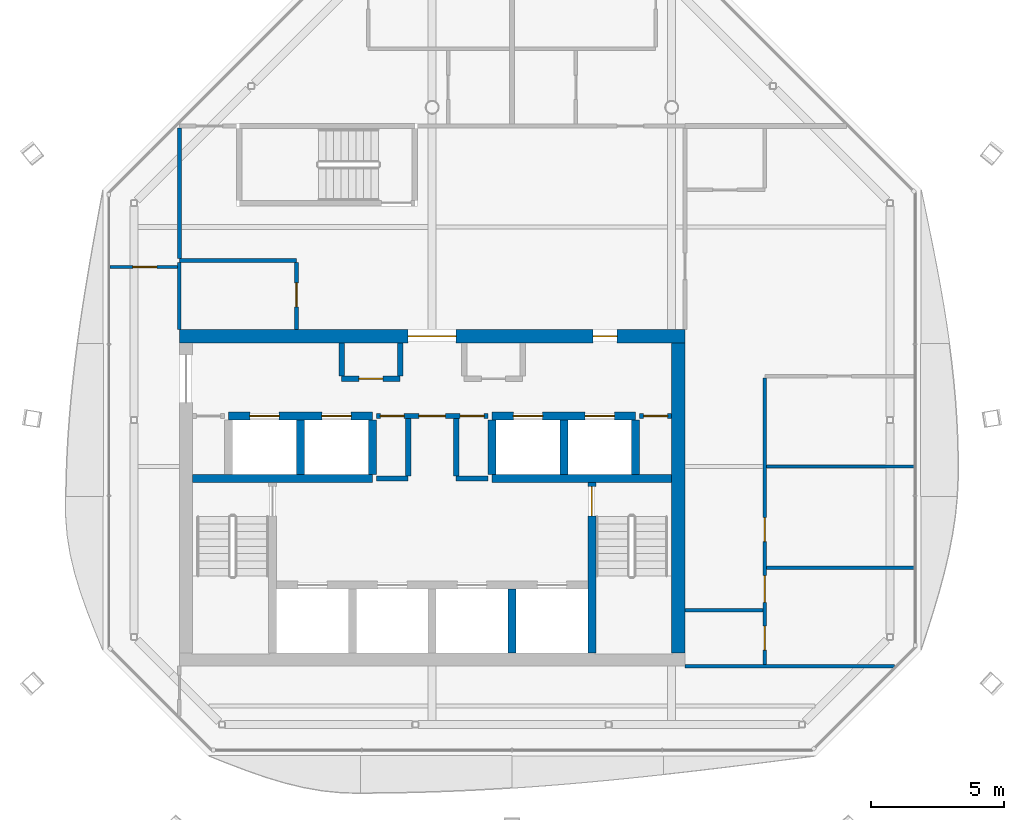
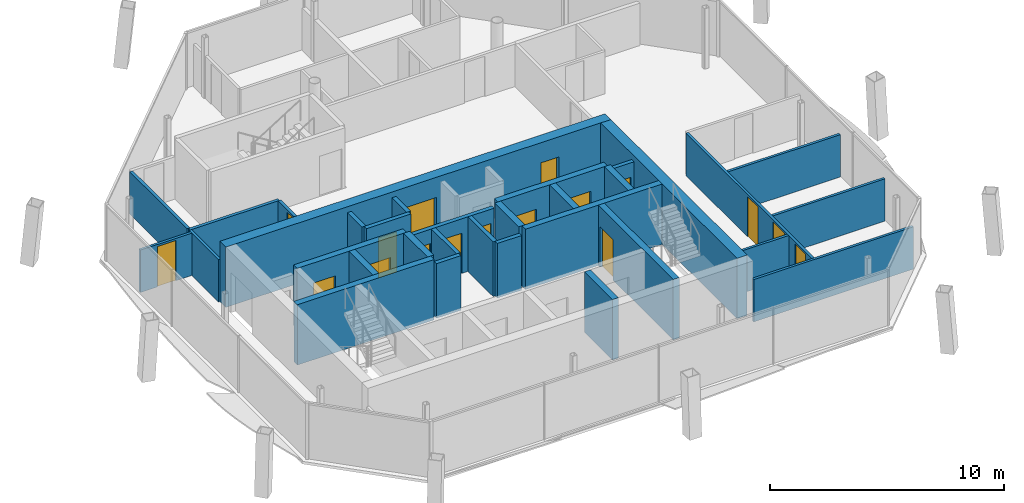
# One storey, part 9 of 13: 32 walls, 17 doors, 17 openings.
"""IFC4 building model written with IfcOpenShell, lengths in metres."""

from ifc_helpers import new_model, si_unit, direction, frame, frame_2d, origin, place, context, subcontext, project, spatial, rectangle, extrude, material, layer, layer_set, type_object, element, fill, save


model = new_model("IFC4")

# Units and contexts
model_context = context("Model", 3, precision=1e-05, world=origin(), true_north=direction((0.0, 1.0)))
body_context = subcontext(model_context, "Body", "Model", "MODEL_VIEW")
ifc_project = project(units=[si_unit("LENGTHUNIT", "METRE"), si_unit("AREAUNIT", "SQUARE_METRE"), si_unit("VOLUMEUNIT", "CUBIC_METRE"), si_unit("PLANEANGLEUNIT", "RADIAN"), si_unit("MASSUNIT", "GRAM", prefix="KILO")], contexts=[model_context])

# Site, building, storey
site_placement = place(None, origin())
site = spatial("IfcSite", under=ifc_project, at=site_placement, CompositionType="ELEMENT")
building_placement = place(site_placement, origin())
building = spatial("IfcBuilding", under=site, at=building_placement, Name="Tskaro Facet Tower", CompositionType="ELEMENT")
storey_placement = place(building_placement, frame((0.0, 0.0, 291.0)))
storey = spatial("IfcBuildingStorey", under=building, at=storey_placement, Name="L78", CompositionType="ELEMENT", Elevation=291.0)

# Walls
ifc_material_1 = material(Name="Concrete C60/75", Category="concrete")
ifc_layer_1 = layer(ifc_material_1, 0.300048828125, Name="Concrete C60/75")
ifc_layer_set_1 = layer_set([ifc_layer_1], Name="Concrete C60/75")
wall_type_1 = type_object("IfcWallType", Name="CORE-SHAFT", PredefinedType="SHEAR", material=ifc_layer_set_1)
for number, where, z_axis, x_axis, name in (
    (1, (-9.0, -4.949951171875, 0.0), (0.0, 0.0, 1.0), (1.0, 0.0, 0.0), "Shaft wall W005"),
    (2, (2.25, -4.949951171875, 0.0), (0.0, 0.0, 1.0), (1.0, 0.0, 0.0), "Shaft wall W008"),
):
    element("IfcWall", number, at=place(storey_placement, frame(where, z_axis=z_axis, x_axis=x_axis)), inside=storey, type_object=wall_type_1, Name=name, PredefinedType="SHEAR", context=body_context, shape_type="SweptSolid", body=[
        extrude(rectangle(XDim=6.75, YDim=0.300048828125, at=frame_2d((3.375, 0.0))), origin(), (0.0, 0.0, 1.0), 3.14990234375),
    ])

# Wall, openings, doors
wall_1_placement = place(storey_placement, frame((-7.64990234375, -2.60009765625, 0.0), z_axis=(0.0, 0.0, 1.0), x_axis=(1.0, 0.0, 0.0)))
wall_1 = element("IfcWall", 3, at=wall_1_placement, inside=storey, type_object=wall_type_1, Name="Shaft wall W011", PredefinedType="SHEAR", context=body_context, shape_type="SweptSolid", body=[
    extrude(rectangle(XDim=5.39990234375, YDim=0.300048828125, at=frame_2d((2.699951171875, 0.0))), origin(), (0.0, 0.0, 1.0), 3.14990234375),
])
opening_1_placement = place(wall_1_placement, frame((0.800048828125, 0.0, 0.0)))
opening_1 = element("IfcOpeningElement", 4, at=opening_1_placement, cuts=wall_1, Name="Opening LD-HB1", PredefinedType="OPENING", context=body_context, shape_type="SweptSolid", body=[
    extrude(rectangle(XDim=1.10009765625, YDim=2.10009765625, at=frame_2d((0.550048828125, 1.050048828125))), frame((0.0, 0.159912109375, 0.0), z_axis=(0.0, -1.0, 0.0), x_axis=(1.0, 0.0, 0.0)), (0.0, 0.0, 1.0), 0.320068359375),
])
opening_2_placement = place(wall_1_placement, frame((3.5, 0.0, 0.0)))
opening_2 = element("IfcOpeningElement", 5, at=opening_2_placement, cuts=wall_1, Name="Opening LD-HB2", PredefinedType="OPENING", context=body_context, shape_type="SweptSolid", body=[
    extrude(rectangle(XDim=1.10009765625, YDim=2.10009765625, at=frame_2d((0.550048828125, 1.050048828125))), frame((0.0, 0.159912109375, 0.0), z_axis=(0.0, -1.0, 0.0), x_axis=(1.0, 0.0, 0.0)), (0.0, 0.0, 1.0), 0.320068359375),
])
ifc_material_2 = material(Name="Stainless steel", Category="steel")
door_type_1 = type_object("IfcDoorType", Name="D-LANDING", OperationType="NOTDEFINED", PredefinedType="DOOR", material=ifc_material_2)
door_1_placement = place(opening_1_placement, origin())
door_1 = element("IfcDoor", 6, at=door_1_placement, inside=storey, type_object=door_type_1, Name="Landing door HB1", OperationType="DOUBLE_DOOR_SLIDING", OverallHeight=2.10009765625, OverallWidth=1.10009765625, PredefinedType="DOOR", context=body_context, shape_type="SweptSolid", body=[
    extrude(rectangle(XDim=1.10009765625, YDim=2.10009765625, at=frame_2d((0.550048828125, 1.050048828125))), frame((0.0, 0.02490234375, 0.0), z_axis=(0.0, -1.0, 0.0), x_axis=(1.0, 0.0, 0.0)), (0.0, 0.0, 1.0), 0.050048828125),
])
fill(opening_1, door_1)
door_2_placement = place(opening_2_placement, origin())
door_2 = element("IfcDoor", 7, at=door_2_placement, inside=storey, type_object=door_type_1, Name="Landing door HB2", OperationType="DOUBLE_DOOR_SLIDING", OverallHeight=2.10009765625, OverallWidth=1.10009765625, PredefinedType="DOOR", context=body_context, shape_type="SweptSolid", body=[
    extrude(rectangle(XDim=1.10009765625, YDim=2.10009765625, at=frame_2d((0.550048828125, 1.050048828125))), frame((0.0, 0.02490234375, 0.0), z_axis=(0.0, -1.0, 0.0), x_axis=(1.0, 0.0, 0.0)), (0.0, 0.0, 1.0), 0.050048828125),
])
fill(opening_2, door_2)

wall_2_placement = place(storey_placement, frame((2.25, -2.60009765625, 0.0), z_axis=(0.0, 0.0, 1.0), x_axis=(1.0, 0.0, 0.0)))
wall_2 = element("IfcWall", 8, at=wall_2_placement, inside=storey, type_object=wall_type_1, Name="Shaft wall W013", PredefinedType="SHEAR", context=body_context, shape_type="SweptSolid", body=[
    extrude(rectangle(XDim=5.39990234375, YDim=0.300048828125, at=frame_2d((2.699951171875, 0.0))), origin(), (0.0, 0.0, 1.0), 3.14990234375),
])
opening_3_placement = place(wall_2_placement, frame((0.800048828125, 0.0, 0.0)))
opening_3 = element("IfcOpeningElement", 9, at=opening_3_placement, cuts=wall_2, Name="Opening LD-HB3", PredefinedType="OPENING", context=body_context, shape_type="SweptSolid", body=[
    extrude(rectangle(XDim=1.10009765625, YDim=2.10009765625, at=frame_2d((0.550048828125, 1.050048828125))), frame((0.0, 0.159912109375, 0.0), z_axis=(0.0, -1.0, 0.0), x_axis=(1.0, 0.0, 0.0)), (0.0, 0.0, 1.0), 0.320068359375),
])
opening_4_placement = place(wall_2_placement, frame((3.5, 0.0, 0.0)))
opening_4 = element("IfcOpeningElement", 10, at=opening_4_placement, cuts=wall_2, Name="Opening LD-HB4", PredefinedType="OPENING", context=body_context, shape_type="SweptSolid", body=[
    extrude(rectangle(XDim=1.10009765625, YDim=2.10009765625, at=frame_2d((0.550048828125, 1.050048828125))), frame((0.0, 0.159912109375, 0.0), z_axis=(0.0, -1.0, 0.0), x_axis=(1.0, 0.0, 0.0)), (0.0, 0.0, 1.0), 0.320068359375),
])
door_3_placement = place(opening_3_placement, origin())
door_3 = element("IfcDoor", 11, at=door_3_placement, inside=storey, type_object=door_type_1, Name="Landing door HB3", OperationType="DOUBLE_DOOR_SLIDING", OverallHeight=2.10009765625, OverallWidth=1.10009765625, PredefinedType="DOOR", context=body_context, shape_type="SweptSolid", body=[
    extrude(rectangle(XDim=1.10009765625, YDim=2.10009765625, at=frame_2d((0.550048828125, 1.050048828125))), frame((0.0, 0.02490234375, 0.0), z_axis=(0.0, -1.0, 0.0), x_axis=(1.0, 0.0, 0.0)), (0.0, 0.0, 1.0), 0.050048828125),
])
fill(opening_3, door_3)
door_4_placement = place(opening_4_placement, origin())
door_4 = element("IfcDoor", 12, at=door_4_placement, inside=storey, type_object=door_type_1, Name="Landing door HB4", OperationType="DOUBLE_DOOR_SLIDING", OverallHeight=2.10009765625, OverallWidth=1.10009765625, PredefinedType="DOOR", context=body_context, shape_type="SweptSolid", body=[
    extrude(rectangle(XDim=1.10009765625, YDim=2.10009765625, at=frame_2d((0.550048828125, 1.050048828125))), frame((0.0, 0.02490234375, 0.0), z_axis=(0.0, -1.0, 0.0), x_axis=(1.0, 0.0, 0.0)), (0.0, 0.0, 1.0), 0.050048828125),
])
fill(opening_4, door_4)

# Walls
for number, where, z_axis, x_axis, name in (
    (13, (-4.949951171875, -4.800048828125, 0.0), (0.0, 0.0, 1.0), (0.0, 1.0, 0.0), "Shaft wall W034"),
    (14, (-2.25, -4.800048828125, 0.0), (0.0, 0.0, 1.0), (0.0, 1.0, 0.0), "Shaft wall W039"),
    (15, (2.25, -4.800048828125, 0.0), (0.0, 0.0, 1.0), (0.0, 1.0, 0.0), "Shaft wall W047"),
):
    element("IfcWall", number, at=place(storey_placement, frame(where, z_axis=z_axis, x_axis=x_axis)), inside=storey, type_object=wall_type_1, Name=name, PredefinedType="SHEAR", context=body_context, shape_type="SweptSolid", body=[
        extrude(rectangle(XDim=2.050048828125, YDim=0.300048828125, at=frame_2d((1.02490234375, 0.0))), origin(), (0.0, 0.0, 1.0), 3.14990234375),
    ])
wall_3_placement = place(storey_placement, frame((3.0, -11.5, 0.0), z_axis=(0.0, 0.0, 1.0), x_axis=(0.0, 1.0, 0.0)))
element("IfcWall", 16, at=wall_3_placement, inside=storey, type_object=wall_type_1, Name="Shaft wall W048", PredefinedType="SHEAR", context=body_context, shape_type="SweptSolid", body=[
    extrude(rectangle(XDim=2.39990234375, YDim=0.300048828125, at=frame_2d((1.199951171875, 0.0))), origin(), (0.0, 0.0, 1.0), 3.14990234375),
])
wall_4_placement = place(storey_placement, frame((4.949951171875, -4.800048828125, 0.0), z_axis=(0.0, 0.0, 1.0), x_axis=(0.0, 1.0, 0.0)))
element("IfcWall", 17, at=wall_4_placement, inside=storey, type_object=wall_type_1, Name="Shaft wall W052", PredefinedType="SHEAR", context=body_context, shape_type="SweptSolid", body=[
    extrude(rectangle(XDim=2.050048828125, YDim=0.300048828125, at=frame_2d((1.02490234375, 0.0))), origin(), (0.0, 0.0, 1.0), 3.14990234375),
])

# Wall, opening, door
wall_5_placement = place(storey_placement, frame((6.0, -5.10009765625, 0.0), z_axis=(0.0, 0.0, 1.0), x_axis=(0.0, -1.0, 0.0)))
wall_5 = element("IfcWall", 18, at=wall_5_placement, inside=storey, type_object=wall_type_1, Name="Shaft wall W054", PredefinedType="SHEAR", context=body_context, shape_type="SweptSolid", body=[
    extrude(rectangle(XDim=6.39990234375, YDim=0.300048828125, at=frame_2d((3.199951171875, 0.0))), origin(), (0.0, 0.0, 1.0), 3.14990234375),
])
opening_5_placement = place(wall_5_placement, frame((0.14990234375, 0.0, 0.0)))
opening_5 = element("IfcOpeningElement", 19, at=opening_5_placement, cuts=wall_5, Name="Opening ST-2-D1", PredefinedType="OPENING", context=body_context, shape_type="SweptSolid", body=[
    extrude(rectangle(XDim=1.10009765625, YDim=2.10009765625, at=frame_2d((0.550048828125, 1.050048828125))), frame((0.0, 0.159912109375, 0.0), z_axis=(0.0, -1.0, 0.0), x_axis=(1.0, 0.0, 0.0)), (0.0, 0.0, 1.0), 0.320068359375),
])
ifc_material_3 = material(Name="Steel", Category="steel")
door_type_2 = type_object("IfcDoorType", Name="D-STAIR", OperationType="NOTDEFINED", PredefinedType="DOOR", material=ifc_material_3)
door_5_placement = place(opening_5_placement, origin())
door_5 = element("IfcDoor", 20, at=door_5_placement, inside=storey, type_object=door_type_2, Name="Stair door 2", OperationType="SINGLE_SWING_RIGHT", OverallHeight=2.10009765625, OverallWidth=1.10009765625, PredefinedType="DOOR", context=body_context, shape_type="SweptSolid", body=[
    extrude(rectangle(XDim=1.10009765625, YDim=2.10009765625, at=frame_2d((0.550048828125, 1.050048828125))), frame((0.0, 0.02490234375, 0.0), z_axis=(0.0, -1.0, 0.0), x_axis=(1.0, 0.0, 0.0)), (0.0, 0.0, 1.0), 0.050048828125),
])
fill(opening_5, door_5)

# Walls
wall_6_placement = place(storey_placement, frame((7.64990234375, -4.800048828125, 0.0), z_axis=(0.0, 0.0, 1.0), x_axis=(0.0, 1.0, 0.0)))
element("IfcWall", 21, at=wall_6_placement, inside=storey, type_object=wall_type_1, Name="Shaft wall W055", PredefinedType="SHEAR", context=body_context, shape_type="SweptSolid", body=[
    extrude(rectangle(XDim=2.050048828125, YDim=0.300048828125, at=frame_2d((1.02490234375, 0.0))), origin(), (0.0, 0.0, 1.0), 3.14990234375),
])
ifc_material_4 = material(Name="Concrete C20/25", Category="concrete")
ifc_layer_2 = layer(ifc_material_4, 0.199951171875, Name="Concrete C20/25")
ifc_layer_set_2 = layer_set([ifc_layer_2], Name="Concrete C20/25")
wall_type_2 = type_object("IfcWallType", Name="CORE-WALL", PredefinedType="SOLIDWALL", material=ifc_layer_set_2)
for number, where, z_axis, x_axis, name in (
    (22, (-2.10009765625, -4.949951171875, 0.0), (0.0, 0.0, 1.0), (1.0, 0.0, 0.0), "Core room wall W006"),
    (23, (0.89990234375, -4.949951171875, 0.0), (0.0, 0.0, 1.0), (1.0, 0.0, 0.0), "Core room wall W007"),
):
    element("IfcWall", number, at=place(storey_placement, frame(where, z_axis=z_axis, x_axis=x_axis)), inside=storey, type_object=wall_type_2, Name=name, PredefinedType="SOLIDWALL", context=body_context, shape_type="SweptSolid", body=[
        extrude(rectangle(XDim=1.2001953125, YDim=0.199951171875, at=frame_2d((0.60009765625, 0.0))), origin(), (0.0, 0.0, 1.0), 2.85009765625),
    ])

# Wall, openings, doors
wall_7_placement = place(storey_placement, frame((2.10009765625, -2.60009765625, 0.0), z_axis=(0.0, 0.0, 1.0), x_axis=(-1.0, 0.0, 0.0)))
wall_7 = element("IfcWall", 24, at=wall_7_placement, inside=storey, type_object=wall_type_2, Name="Core room wall W012", PredefinedType="SOLIDWALL", context=body_context, shape_type="SweptSolid", body=[
    extrude(rectangle(XDim=4.2001953125, YDim=0.199951171875, at=frame_2d((2.10009765625, 0.0))), origin(), (0.0, 0.0, 1.0), 2.85009765625),
])
opening_6_placement = place(wall_7_placement, frame((1.60009765625, 0.0, 0.0)))
opening_6 = element("IfcOpeningElement", 25, at=opening_6_placement, cuts=wall_7, Name="Opening FL-D1", PredefinedType="OPENING", context=body_context, shape_type="SweptSolid", body=[
    extrude(rectangle(XDim=1.0, YDim=2.10009765625, at=frame_2d((0.5, 1.050048828125))), frame((0.0, 0.10986328125, 0.0), z_axis=(0.0, -1.0, 0.0), x_axis=(1.0, 0.0, 0.0)), (0.0, 0.0, 1.0), 0.219970703125),
])
opening_7_placement = place(wall_7_placement, frame((3.14990234375, 0.0, 0.0)))
opening_7 = element("IfcOpeningElement", 26, at=opening_7_placement, cuts=wall_7, Name="Opening T23-D06", PredefinedType="OPENING", context=body_context, shape_type="SweptSolid", body=[
    extrude(rectangle(XDim=0.89990234375, YDim=2.10009765625, at=frame_2d((0.449951171875, 1.050048828125))), frame((0.0, 0.10986328125, 0.0), z_axis=(0.0, -1.0, 0.0), x_axis=(1.0, 0.0, 0.0)), (0.0, 0.0, 1.0), 0.219970703125),
])
opening_8_placement = place(wall_7_placement, frame((0.14990234375, 0.0, 0.0)))
opening_8 = element("IfcOpeningElement", 27, at=opening_8_placement, cuts=wall_7, Name="Opening T23-D07", PredefinedType="OPENING", context=body_context, shape_type="SweptSolid", body=[
    extrude(rectangle(XDim=0.89990234375, YDim=2.10009765625, at=frame_2d((0.449951171875, 1.050048828125))), frame((0.0, 0.10986328125, 0.0), z_axis=(0.0, -1.0, 0.0), x_axis=(1.0, 0.0, 0.0)), (0.0, 0.0, 1.0), 0.219970703125),
])
door_type_3 = type_object("IfcDoorType", Name="D-LOBBY", OperationType="NOTDEFINED", PredefinedType="DOOR", material=ifc_material_3)
door_6_placement = place(opening_6_placement, origin())
door_6 = element("IfcDoor", 28, at=door_6_placement, inside=storey, type_object=door_type_3, Name="Lobby door FL", OperationType="SINGLE_SWING_RIGHT", OverallHeight=2.10009765625, OverallWidth=1.0, PredefinedType="DOOR", context=body_context, shape_type="SweptSolid", body=[
    extrude(rectangle(XDim=1.0, YDim=2.10009765625, at=frame_2d((0.5, 1.050048828125))), frame((0.0, 0.02490234375, 0.0), z_axis=(0.0, -1.0, 0.0), x_axis=(1.0, 0.0, 0.0)), (0.0, 0.0, 1.0), 0.050048828125),
])
fill(opening_6, door_6)
ifc_material_5 = material(Name="Timber", Category="wood")
door_type_4 = type_object("IfcDoorType", Name="D-ROOM", OperationType="NOTDEFINED", PredefinedType="DOOR", material=ifc_material_5)
door_7_placement = place(opening_7_placement, origin())
door_7 = element("IfcDoor", 29, at=door_7_placement, inside=storey, type_object=door_type_4, Name="Door T23-D06", OperationType="SINGLE_SWING_RIGHT", OverallHeight=2.10009765625, OverallWidth=0.89990234375, PredefinedType="DOOR", context=body_context, shape_type="SweptSolid", body=[
    extrude(rectangle(XDim=0.89990234375, YDim=2.10009765625, at=frame_2d((0.449951171875, 1.050048828125))), frame((0.0, 0.02490234375, 0.0), z_axis=(0.0, -1.0, 0.0), x_axis=(1.0, 0.0, 0.0)), (0.0, 0.0, 1.0), 0.050048828125),
])
fill(opening_7, door_7)
door_8_placement = place(opening_8_placement, origin())
door_8 = element("IfcDoor", 30, at=door_8_placement, inside=storey, type_object=door_type_4, Name="Door T23-D07", OperationType="SINGLE_SWING_RIGHT", OverallHeight=2.10009765625, OverallWidth=0.89990234375, PredefinedType="DOOR", context=body_context, shape_type="SweptSolid", body=[
    extrude(rectangle(XDim=0.89990234375, YDim=2.10009765625, at=frame_2d((0.449951171875, 1.050048828125))), frame((0.0, 0.02490234375, 0.0), z_axis=(0.0, -1.0, 0.0), x_axis=(1.0, 0.0, 0.0)), (0.0, 0.0, 1.0), 0.050048828125),
])
fill(opening_8, door_8)

# Wall, opening, door
wall_8_placement = place(storey_placement, frame((9.0, -2.60009765625, 0.0), z_axis=(0.0, 0.0, 1.0), x_axis=(-1.0, 0.0, 0.0)))
wall_8 = element("IfcWall", 31, at=wall_8_placement, inside=storey, type_object=wall_type_2, Name="Core room wall W014", PredefinedType="SOLIDWALL", context=body_context, shape_type="SweptSolid", body=[
    extrude(rectangle(XDim=1.199951171875, YDim=0.199951171875, at=frame_2d((0.60009765625, 0.0))), origin(), (0.0, 0.0, 1.0), 2.85009765625),
])
opening_9_placement = place(wall_8_placement, frame((0.14990234375, 0.0, 0.0)))
opening_9 = element("IfcOpeningElement", 32, at=opening_9_placement, cuts=wall_8, Name="Opening T23-D08", PredefinedType="OPENING", context=body_context, shape_type="SweptSolid", body=[
    extrude(rectangle(XDim=0.89990234375, YDim=2.10009765625, at=frame_2d((0.449951171875, 1.050048828125))), frame((0.0, 0.10986328125, 0.0), z_axis=(0.0, -1.0, 0.0), x_axis=(1.0, 0.0, 0.0)), (0.0, 0.0, 1.0), 0.219970703125),
])
door_9_placement = place(opening_9_placement, origin())
door_9 = element("IfcDoor", 33, at=door_9_placement, inside=storey, type_object=door_type_4, Name="Door T23-D08", OperationType="SINGLE_SWING_RIGHT", OverallHeight=2.10009765625, OverallWidth=0.89990234375, PredefinedType="DOOR", context=body_context, shape_type="SweptSolid", body=[
    extrude(rectangle(XDim=0.89990234375, YDim=2.10009765625, at=frame_2d((0.449951171875, 1.050048828125))), frame((0.0, 0.02490234375, 0.0), z_axis=(0.0, -1.0, 0.0), x_axis=(1.0, 0.0, 0.0)), (0.0, 0.0, 1.0), 0.050048828125),
])
fill(opening_9, door_9)

wall_9_placement = place(storey_placement, frame((-3.39990234375, -1.199951171875, 0.0), z_axis=(0.0, 0.0, 1.0), x_axis=(1.0, 0.0, 0.0)))
wall_9 = element("IfcWall", 34, at=wall_9_placement, inside=storey, type_object=wall_type_2, Name="Core room wall W015", PredefinedType="SOLIDWALL", context=body_context, shape_type="SweptSolid", body=[
    extrude(rectangle(XDim=2.199951171875, YDim=0.199951171875, at=frame_2d((1.10009765625, 0.0))), origin(), (0.0, 0.0, 1.0), 2.85009765625),
])
opening_10_placement = place(wall_9_placement, frame((0.64990234375, 0.0, 0.0)))
opening_10 = element("IfcOpeningElement", 35, at=opening_10_placement, cuts=wall_9, Name="Opening T23-D10", PredefinedType="OPENING", context=body_context, shape_type="SweptSolid", body=[
    extrude(rectangle(XDim=0.89990234375, YDim=2.10009765625, at=frame_2d((0.449951171875, 1.050048828125))), frame((0.0, 0.10986328125, 0.0), z_axis=(0.0, -1.0, 0.0), x_axis=(1.0, 0.0, 0.0)), (0.0, 0.0, 1.0), 0.219970703125),
])
door_10_placement = place(opening_10_placement, origin())
door_10 = element("IfcDoor", 36, at=door_10_placement, inside=storey, type_object=door_type_4, Name="Door T23-D10", OperationType="SINGLE_SWING_LEFT", OverallHeight=2.10009765625, OverallWidth=0.89990234375, PredefinedType="DOOR", context=body_context, shape_type="SweptSolid", body=[
    extrude(rectangle(XDim=0.89990234375, YDim=2.10009765625, at=frame_2d((0.449951171875, 1.050048828125))), frame((0.0, 0.02490234375, 0.0), z_axis=(0.0, -1.0, 0.0), x_axis=(1.0, 0.0, 0.0)), (0.0, 0.0, 1.0), 0.050048828125),
])
fill(opening_10, door_10)

# Walls
for number, where, z_axis, x_axis, name in (
    (37, (-3.39990234375, -1.10009765625, 0.0), (0.0, 0.0, 1.0), (0.0, 1.0, 0.0), "Core room wall W035"),
    (38, (-1.199951171875, -1.10009765625, 0.0), (0.0, 0.0, 1.0), (0.0, 1.0, 0.0), "Core room wall W040"),
):
    element("IfcWall", number, at=place(storey_placement, frame(where, z_axis=z_axis, x_axis=x_axis)), inside=storey, type_object=wall_type_2, Name=name, PredefinedType="SOLIDWALL", context=body_context, shape_type="SweptSolid", body=[
        extrude(rectangle(XDim=1.25, YDim=0.199951171875, at=frame_2d((0.625, 0.0))), origin(), (0.0, 0.0, 1.0), 2.85009765625),
    ])
for number, where, z_axis, x_axis, name in (
    (39, (-0.89990234375, -4.85009765625, 0.0), (0.0, 0.0, 1.0), (0.0, 1.0, 0.0), "Core room wall W041"),
    (40, (0.89990234375, -4.85009765625, 0.0), (0.0, 0.0, 1.0), (0.0, 1.0, 0.0), "Core room wall W045"),
):
    element("IfcWall", number, at=place(storey_placement, frame(where, z_axis=z_axis, x_axis=x_axis)), inside=storey, type_object=wall_type_2, Name=name, PredefinedType="SOLIDWALL", context=body_context, shape_type="SweptSolid", body=[
        extrude(rectangle(XDim=2.150146484375, YDim=0.199951171875, at=frame_2d((1.0751953125, 0.0))), origin(), (0.0, 0.0, 1.0), 2.85009765625),
    ])

# Wall, openings, doors
ifc_material_6 = material(Name="Concrete C40/50", Category="concrete")
ifc_layer_3 = layer(ifc_material_6, 0.5, Name="Concrete C40/50")
ifc_layer_set_3 = layer_set([ifc_layer_3], Name="Concrete C40/50")
wall_type_3 = type_object("IfcWallType", Name="Core wall 500", PredefinedType="SHEAR", material=ifc_layer_set_3)
wall_10_placement = place(storey_placement, frame((-9.5, 0.39990234375, 0.0), z_axis=(0.0, 0.0, 1.0), x_axis=(1.0, 0.0, 0.0)))
wall_10 = element("IfcWall", 41, at=wall_10_placement, inside=storey, type_object=wall_type_3, Name="Core wall CW-Z3N", PredefinedType="SHEAR", context=body_context, shape_type="SweptSolid", body=[
    extrude(rectangle(XDim=19.0, YDim=0.5, at=frame_2d((9.5, 0.0))), origin(), (0.0, 0.0, 1.0), 3.14990234375),
])
opening_11_placement = place(wall_10_placement, frame((8.60009765625, 0.0, 0.0)))
opening_11 = element("IfcOpeningElement", 42, at=opening_11_placement, cuts=wall_10, Name="Opening T23-D13", PredefinedType="OPENING", context=body_context, shape_type="SweptSolid", body=[
    extrude(rectangle(XDim=1.800048828125, YDim=2.10009765625, at=frame_2d((0.89990234375, 1.050048828125))), frame((0.0, 0.260009765625, 0.0), z_axis=(0.0, -1.0, 0.0), x_axis=(1.0, 0.0, 0.0)), (0.0, 0.0, 1.0), 0.52001953125),
])
opening_12_placement = place(wall_10_placement, frame((15.550048828125, 0.0, 0.0)))
opening_12 = element("IfcOpeningElement", 43, at=opening_12_placement, cuts=wall_10, Name="Opening T23-D14", PredefinedType="OPENING", context=body_context, shape_type="SweptSolid", body=[
    extrude(rectangle(XDim=0.89990234375, YDim=2.10009765625, at=frame_2d((0.449951171875, 1.050048828125))), frame((0.0, 0.260009765625, 0.0), z_axis=(0.0, -1.0, 0.0), x_axis=(1.0, 0.0, 0.0)), (0.0, 0.0, 1.0), 0.52001953125),
])
door_type_5 = type_object("IfcDoorType", Name="D-CORE-PAIR", OperationType="NOTDEFINED", PredefinedType="DOOR", material=ifc_material_3)
door_11_placement = place(opening_11_placement, origin())
door_11 = element("IfcDoor", 44, at=door_11_placement, inside=storey, type_object=door_type_5, Name="Door T23-D13", OperationType="DOUBLE_DOOR_SINGLE_SWING", OverallHeight=2.10009765625, OverallWidth=1.800048828125, PredefinedType="DOOR", context=body_context, shape_type="SweptSolid", body=[
    extrude(rectangle(XDim=1.800048828125, YDim=2.10009765625, at=frame_2d((0.89990234375, 1.050048828125))), frame((0.0, 0.02490234375, 0.0), z_axis=(0.0, -1.0, 0.0), x_axis=(1.0, 0.0, 0.0)), (0.0, 0.0, 1.0), 0.050048828125),
])
fill(opening_11, door_11)
door_12_placement = place(opening_12_placement, origin())
door_12 = element("IfcDoor", 45, at=door_12_placement, inside=storey, type_object=door_type_4, Name="Door T23-D14", OperationType="SINGLE_SWING_LEFT", OverallHeight=2.10009765625, OverallWidth=0.89990234375, PredefinedType="DOOR", context=body_context, shape_type="SweptSolid", body=[
    extrude(rectangle(XDim=0.89990234375, YDim=2.10009765625, at=frame_2d((0.449951171875, 1.050048828125))), frame((0.0, 0.02490234375, 0.0), z_axis=(0.0, -1.0, 0.0), x_axis=(1.0, 0.0, 0.0)), (0.0, 0.0, 1.0), 0.050048828125),
])
fill(opening_12, door_12)

# Walls
wall_11_placement = place(storey_placement, frame((9.25, -11.5, 0.0), z_axis=(0.0, 0.0, 1.0), x_axis=(0.0, 1.0, 0.0)))
element("IfcWall", 46, at=wall_11_placement, inside=storey, type_object=wall_type_3, Name="Core wall CW-Z3E", PredefinedType="SHEAR", context=body_context, shape_type="SweptSolid", body=[
    extrude(rectangle(XDim=11.64990234375, YDim=0.5, at=frame_2d((5.824951171875, 0.0))), origin(), (0.0, 0.0, 1.0), 3.14990234375),
])
ifc_material_7 = material(Name="Gypsum board on steel studs", Category="steel")
ifc_layer_4 = layer(ifc_material_7, 0.125, Name="Gypsum board on steel studs")
ifc_layer_set_4 = layer_set([ifc_layer_4], Name="Gypsum board on steel studs")
wall_type_4 = type_object("IfcWallType", Name="PART", PredefinedType="PARTITIONING", material=ifc_layer_set_4)
wall_12_placement = place(storey_placement, frame((9.5, -12.0, 0.0), z_axis=(0.0, 0.0, 1.0), x_axis=(1.0, 0.0, 0.0)))
element("IfcWall", 47, at=wall_12_placement, inside=storey, type_object=wall_type_4, Name="Partition W001", PredefinedType="PARTITIONING", context=body_context, shape_type="SweptSolid", body=[
    extrude(rectangle(XDim=7.8759765625, YDim=0.125, at=frame_2d((3.93798828125, 0.0))), origin(), (0.0, 0.0, 1.0), 2.2099609375),
])
wall_13_placement = place(storey_placement, frame((9.5, -9.89990234375, 0.0), z_axis=(0.0, 0.0, 1.0), x_axis=(1.0, 0.0, 0.0)))
element("IfcWall", 48, at=wall_13_placement, inside=storey, type_object=wall_type_4, Name="Partition W002", PredefinedType="PARTITIONING", context=body_context, shape_type="SweptSolid", body=[
    extrude(rectangle(XDim=2.9375, YDim=0.125, at=frame_2d((1.46875, 0.0))), origin(), (0.0, 0.0, 1.0), 2.2099609375),
])
for number, where, z_axis, x_axis, name in (
    (49, (12.5625, -8.300048828125, 0.0), (0.0, 0.0, 1.0), (1.0, 0.0, 0.0), "Partition W004"),
    (50, (12.5625, -4.5, 0.0), (0.0, 0.0, 1.0), (1.0, 0.0, 0.0), "Partition W009"),
):
    element("IfcWall", number, at=place(storey_placement, frame(where, z_axis=z_axis, x_axis=x_axis)), inside=storey, type_object=wall_type_4, Name=name, PredefinedType="PARTITIONING", context=body_context, shape_type="SweptSolid", body=[
        extrude(rectangle(XDim=5.53759765625, YDim=0.125, at=frame_2d((2.768798828125, 0.0))), origin(), (0.0, 0.0, 1.0), 2.2099609375),
    ])

# Wall, opening, door
wall_14_placement = place(storey_placement, frame((-12.10009765625, 3.0, 0.0), z_axis=(0.0, 0.0, 1.0), x_axis=(1.0, 0.0, 0.0)))
wall_14 = element("IfcWall", 51, at=wall_14_placement, inside=storey, type_object=wall_type_4, Name="Partition W018", PredefinedType="PARTITIONING", context=body_context, shape_type="SweptSolid", body=[
    extrude(rectangle(XDim=2.53759765625, YDim=0.125, at=frame_2d((1.268798828125, 0.0))), origin(), (0.0, 0.0, 1.0), 2.2099609375),
])
opening_13_placement = place(wall_14_placement, frame((0.85009765625, 0.0, 0.0)))
opening_13 = element("IfcOpeningElement", 52, at=opening_13_placement, cuts=wall_14, Name="Opening T23-D16", PredefinedType="OPENING", context=body_context, shape_type="SweptSolid", body=[
    extrude(rectangle(XDim=0.89990234375, YDim=2.10009765625, at=frame_2d((0.449951171875, 1.050048828125))), frame((0.0, 0.072509765625, 0.0), z_axis=(0.0, -1.0, 0.0), x_axis=(1.0, 0.0, 0.0)), (0.0, 0.0, 1.0), 0.14501953125),
])
door_13_placement = place(opening_13_placement, origin())
door_13 = element("IfcDoor", 53, at=door_13_placement, inside=storey, type_object=door_type_4, Name="Door T23-D16", OperationType="SINGLE_SWING_LEFT", OverallHeight=2.10009765625, OverallWidth=0.89990234375, PredefinedType="DOOR", context=body_context, shape_type="SweptSolid", body=[
    extrude(rectangle(XDim=0.89990234375, YDim=2.10009765625, at=frame_2d((0.449951171875, 1.050048828125))), frame((0.0, 0.02490234375, 0.0), z_axis=(0.0, -1.0, 0.0), x_axis=(1.0, 0.0, 0.0)), (0.0, 0.0, 1.0), 0.050048828125),
])
fill(opening_13, door_13)

# Wall
wall_15_placement = place(storey_placement, frame((-9.5, 0.64990234375, 0.0), z_axis=(0.0, 0.0, 1.0), x_axis=(0.0, 1.0, 0.0)))
element("IfcWall", 54, at=wall_15_placement, inside=storey, type_object=wall_type_4, Name="Partition W028", PredefinedType="PARTITIONING", context=body_context, shape_type="SweptSolid", body=[
    extrude(rectangle(XDim=2.525146484375, YDim=0.125, at=frame_2d((1.2626953125, 0.0))), origin(), (0.0, 0.0, 1.0), 2.2099609375),
])

# Wall, openings, doors
wall_16_placement = place(storey_placement, frame((12.5, -1.16259765625, 0.0), z_axis=(0.0, 0.0, 1.0), x_axis=(0.0, -1.0, 0.0)))
wall_16 = element("IfcWall", 55, at=wall_16_placement, inside=storey, type_object=wall_type_4, Name="Partition W059", PredefinedType="PARTITIONING", context=body_context, shape_type="SweptSolid", body=[
    extrude(rectangle(XDim=10.77490234375, YDim=0.125, at=frame_2d((5.387451171875, 0.0))), origin(), (0.0, 0.0, 1.0), 2.2099609375),
])
opening_14_placement = place(wall_16_placement, frame((5.260009765625, 0.0, 0.0)))
opening_14 = element("IfcOpeningElement", 56, at=opening_14_placement, cuts=wall_16, Name="Opening T23-D04", PredefinedType="OPENING", context=body_context, shape_type="SweptSolid", body=[
    extrude(rectangle(XDim=0.89990234375, YDim=2.10009765625, at=frame_2d((0.449951171875, 1.050048828125))), frame((0.0, 0.072509765625, 0.0), z_axis=(0.0, -1.0, 0.0), x_axis=(1.0, 0.0, 0.0)), (0.0, 0.0, 1.0), 0.14501953125),
])
opening_15_placement = place(wall_16_placement, frame((7.4375, 0.0, 0.0)))
opening_15 = element("IfcOpeningElement", 57, at=opening_15_placement, cuts=wall_16, Name="Opening T23-D03", PredefinedType="OPENING", context=body_context, shape_type="SweptSolid", body=[
    extrude(rectangle(XDim=1.0, YDim=2.10009765625, at=frame_2d((0.5, 1.050048828125))), frame((0.0, 0.072509765625, 0.0), z_axis=(0.0, -1.0, 0.0), x_axis=(1.0, 0.0, 0.0)), (0.0, 0.0, 1.0), 0.14501953125),
])
opening_16_placement = place(wall_16_placement, frame((9.33740234375, 0.0, 0.0)))
opening_16 = element("IfcOpeningElement", 58, at=opening_16_placement, cuts=wall_16, Name="Opening T23-D02", PredefinedType="OPENING", context=body_context, shape_type="SweptSolid", body=[
    extrude(rectangle(XDim=0.89990234375, YDim=2.10009765625, at=frame_2d((0.449951171875, 1.050048828125))), frame((0.0, 0.072509765625, 0.0), z_axis=(0.0, -1.0, 0.0), x_axis=(1.0, 0.0, 0.0)), (0.0, 0.0, 1.0), 0.14501953125),
])
door_14_placement = place(opening_14_placement, origin())
door_14 = element("IfcDoor", 59, at=door_14_placement, inside=storey, type_object=door_type_4, Name="Door T23-D04", OperationType="SINGLE_SWING_RIGHT", OverallHeight=2.10009765625, OverallWidth=0.89990234375, PredefinedType="DOOR", context=body_context, shape_type="SweptSolid", body=[
    extrude(rectangle(XDim=0.89990234375, YDim=2.10009765625, at=frame_2d((0.449951171875, 1.050048828125))), frame((0.0, 0.02490234375, 0.0), z_axis=(0.0, -1.0, 0.0), x_axis=(1.0, 0.0, 0.0)), (0.0, 0.0, 1.0), 0.050048828125),
])
fill(opening_14, door_14)
door_15_placement = place(opening_16_placement, origin())
door_15 = element("IfcDoor", 60, at=door_15_placement, inside=storey, type_object=door_type_4, Name="Door T23-D02", OperationType="SINGLE_SWING_LEFT", OverallHeight=2.10009765625, OverallWidth=0.89990234375, PredefinedType="DOOR", context=body_context, shape_type="SweptSolid", body=[
    extrude(rectangle(XDim=0.89990234375, YDim=2.10009765625, at=frame_2d((0.449951171875, 1.050048828125))), frame((0.0, 0.02490234375, 0.0), z_axis=(0.0, -1.0, 0.0), x_axis=(1.0, 0.0, 0.0)), (0.0, 0.0, 1.0), 0.050048828125),
])
fill(opening_16, door_15)
door_type_6 = type_object("IfcDoorType", Name="D-ROOM-WIDE", OperationType="NOTDEFINED", PredefinedType="DOOR", material=ifc_material_5)
door_16_placement = place(opening_15_placement, origin())
door_16 = element("IfcDoor", 61, at=door_16_placement, inside=storey, type_object=door_type_6, Name="Door T23-D03", OperationType="SINGLE_SWING_RIGHT", OverallHeight=2.10009765625, OverallWidth=1.0, PredefinedType="DOOR", context=body_context, shape_type="SweptSolid", body=[
    extrude(rectangle(XDim=1.0, YDim=2.10009765625, at=frame_2d((0.5, 1.050048828125))), frame((0.0, 0.02490234375, 0.0), z_axis=(0.0, -1.0, 0.0), x_axis=(1.0, 0.0, 0.0)), (0.0, 0.0, 1.0), 0.050048828125),
])
fill(opening_15, door_16)

# Walls
ifc_layer_5 = layer(ifc_material_7, 0.14990234375, Name="Gypsum board on steel studs")
ifc_layer_set_5 = layer_set([ifc_layer_5], Name="Gypsum board on steel studs")
wall_type_5 = type_object("IfcWallType", Name="PART-CORR", PredefinedType="PARTITIONING", material=ifc_layer_set_5)
wall_17_placement = place(storey_placement, frame((-9.5, 3.25, 0.0), z_axis=(0.0, 0.0, 1.0), x_axis=(1.0, 0.0, 0.0)))
element("IfcWall", 62, at=wall_17_placement, inside=storey, type_object=wall_type_5, Name="Corridor wall W019", PredefinedType="PARTITIONING", context=body_context, shape_type="SweptSolid", body=[
    extrude(rectangle(XDim=4.39990234375, YDim=0.14990234375, at=frame_2d((2.199951171875, 0.0))), origin(), (0.0, 0.0, 1.0), 2.2099609375),
])
wall_18_placement = place(storey_placement, frame((-9.5, 3.324951171875, 0.0), z_axis=(0.0, 0.0, 1.0), x_axis=(0.0, 1.0, 0.0)))
element("IfcWall", 63, at=wall_18_placement, inside=storey, type_object=wall_type_5, Name="Corridor wall W029", PredefinedType="PARTITIONING", context=body_context, shape_type="SweptSolid", body=[
    extrude(rectangle(XDim=4.900146484375, YDim=0.14990234375, at=frame_2d((2.4501953125, 0.0))), origin(), (0.0, 0.0, 1.0), 2.2099609375),
])

# Wall, opening, door
wall_19_placement = place(storey_placement, frame((-5.10009765625, 0.64990234375, 0.0), z_axis=(0.0, 0.0, 1.0), x_axis=(0.0, 1.0, 0.0)))
wall_19 = element("IfcWall", 64, at=wall_19_placement, inside=storey, type_object=wall_type_5, Name="Corridor wall W033", PredefinedType="PARTITIONING", context=body_context, shape_type="SweptSolid", body=[
    extrude(rectangle(XDim=2.525146484375, YDim=0.14990234375, at=frame_2d((1.2626953125, 0.0))), origin(), (0.0, 0.0, 1.0), 2.2099609375),
])
opening_17_placement = place(wall_19_placement, frame((0.85009765625, 0.0, 0.0)))
opening_17 = element("IfcOpeningElement", 65, at=opening_17_placement, cuts=wall_19, Name="Opening T23-D15", PredefinedType="OPENING", context=body_context, shape_type="SweptSolid", body=[
    extrude(rectangle(XDim=0.89990234375, YDim=2.10009765625, at=frame_2d((0.449951171875, 1.050048828125))), frame((0.0, 0.0849609375, 0.0), z_axis=(0.0, -1.0, 0.0), x_axis=(1.0, 0.0, 0.0)), (0.0, 0.0, 1.0), 0.169921875),
])
door_17_placement = place(opening_17_placement, origin())
door_17 = element("IfcDoor", 66, at=door_17_placement, inside=storey, type_object=door_type_4, Name="Door T23-D15", OperationType="SINGLE_SWING_LEFT", OverallHeight=2.10009765625, OverallWidth=0.89990234375, PredefinedType="DOOR", context=body_context, shape_type="SweptSolid", body=[
    extrude(rectangle(XDim=0.89990234375, YDim=2.10009765625, at=frame_2d((0.449951171875, 1.050048828125))), frame((0.0, 0.02490234375, 0.0), z_axis=(0.0, -1.0, 0.0), x_axis=(1.0, 0.0, 0.0)), (0.0, 0.0, 1.0), 0.050048828125),
])
fill(opening_17, door_17)

save(model, "model.ifc")
